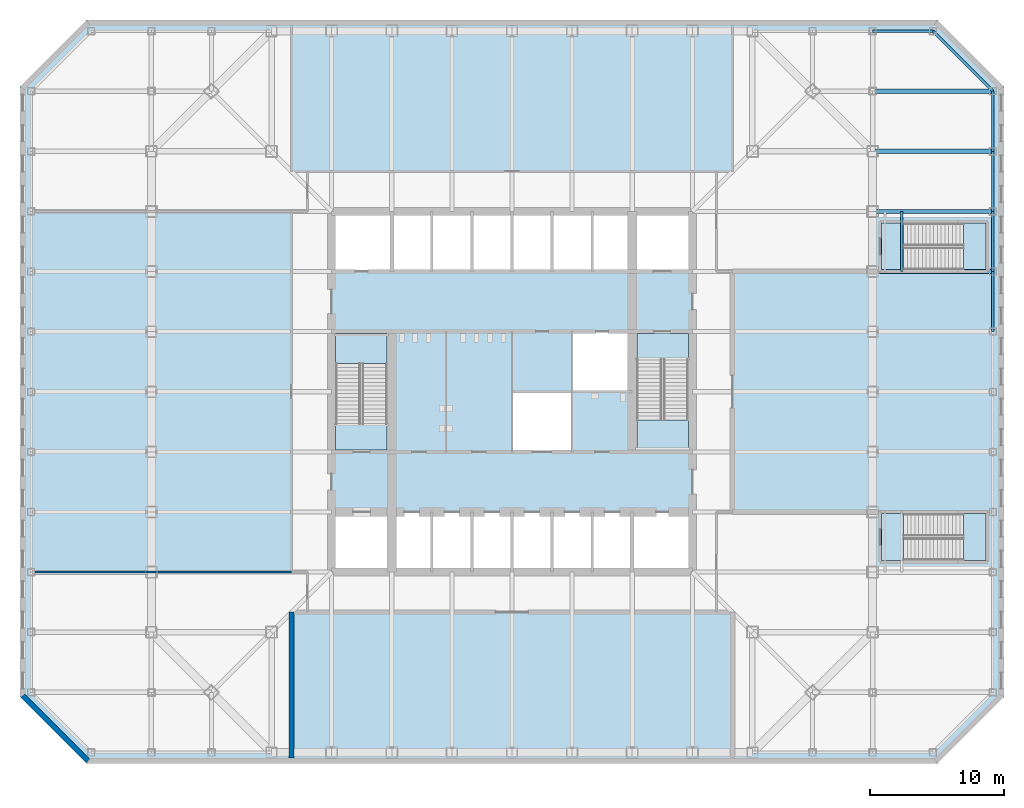
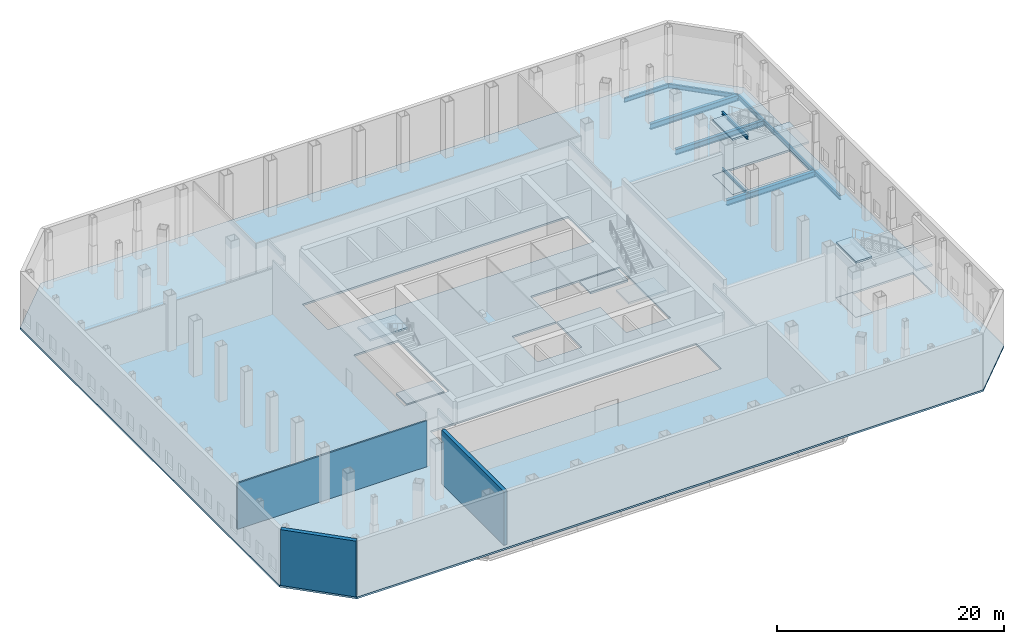
# One storey, part 5 of 13: 12 beams, 11 slabs, 3 walls, 4 elements without a shape of their own.
"""IFC4 building model written with IfcOpenShell, lengths in metres."""

from ifc_helpers import new_model, si_unit, direction, frame, frame_2d, origin, origin_2d, place, context, subcontext, project, spatial, polyline, rectangle, i_section, outline, extrude, material, layer, layer_set, material_profile, profile_set, type_object, element, aggregate, save


model = new_model("IFC4")

# Units and contexts
model_context = context("Model", 3, precision=1e-05, world=origin(), true_north=direction((0.0, 1.0)))
body_context = subcontext(model_context, "Body", "Model", "MODEL_VIEW")
ifc_project = project(units=[si_unit("LENGTHUNIT", "METRE"), si_unit("AREAUNIT", "SQUARE_METRE"), si_unit("VOLUMEUNIT", "CUBIC_METRE"), si_unit("PLANEANGLEUNIT", "RADIAN"), si_unit("MASSUNIT", "GRAM", prefix="KILO")], contexts=[model_context])

# Site, building, storey
site_placement = place(None, origin())
site = spatial("IfcSite", under=ifc_project, at=site_placement, CompositionType="ELEMENT")
building_placement = place(site_placement, origin())
building = spatial("IfcBuilding", under=site, at=building_placement, Name="Corais Broadcast Tower", CompositionType="ELEMENT")
storey_placement = place(building_placement, frame((0.0, 0.0, 12.0)))
storey = spatial("IfcBuildingStorey", under=building, at=storey_placement, Name="L02", CompositionType="ELEMENT", Elevation=12.0)

# Beams
ifc_material_1 = material(Name="Steel ASTM A572 Grade 50", Category="steel")
ifc_material_profile_1 = material_profile(ifc_material_1, i_section(OverallWidth=0.1650390625, OverallDepth=0.31005859375, WebThickness=0.005859375, FlangeThickness=0.009765625, at=origin_2d()), Name="W310x38.7")
ifc_profile_set_1 = profile_set([ifc_material_profile_1], Name="Steel ASTM A572 Grade 50")
beam_type_1 = type_object("IfcBeamType", Name="Landing trimmer W310x38.7", PredefinedType="BEAM", material=ifc_profile_set_1)
for number, where, z_axis, x_axis, name in (
    (1, (56.175048828125, 36.0, -0.35498046875), (0.0, 1.0, 0.0), (-1.0, 0.0, 0.0), "LT1 stair E landing trimmer L02"),
    (2, (56.175048828125, 36.0, 5.64501953125), (0.0, 1.0, 0.0), (-1.0, 0.0, 0.0), "LT1 stair E landing trimmer L02"),
):
    element("IfcBeam", number, at=place(storey_placement, frame(where, z_axis=z_axis, x_axis=x_axis)), inside=storey, type_object=beam_type_1, Name=name, PredefinedType="BEAM", context=body_context, shape_type="SweptSolid", body=[
        extrude(i_section(OverallWidth=0.1650390625, OverallDepth=0.31005859375, WebThickness=0.005859375, FlangeThickness=0.009765625, at=origin_2d()), origin(), (0.0, 0.0, 1.0), 4.5),
    ])
ifc_material_2 = material(Name="Steel ASTM A572 Grade 50", Category="steel")
ifc_material_profile_2 = material_profile(ifc_material_2, i_section(OverallWidth=0.18994140625, OverallDepth=0.45703125, WebThickness=0.009033203125, FlangeThickness=0.014404296875, at=origin_2d()), Name="W460x74")
ifc_profile_set_2 = profile_set([ifc_material_profile_2], Name="Steel ASTM A572 Grade 50")
beam_type_2 = type_object("IfcBeamType", Name="Wing edge beam W460x74", PredefinedType="BEAM", material=ifc_profile_set_2)
for number, where, z_axis, x_axis, name in (
    (3, (58.5, 54.0, -0.428466796875), (-1.0, 0.0, 0.0), (0.0, -1.0, 0.0), "B7 N/16 to N/15"),
    (4, (63.0, 31.5, -0.428466796875), (0.0, 1.0, 0.0), (-1.0, 0.0, 0.0), "B7 H/17 to J/17"),
    (5, (63.0, 36.0, -0.428466796875), (0.0, 1.0, 0.0), (-1.0, 0.0, 0.0), "B7 J/17 to K/17"),
    (6, (63.0, 40.5, -0.428466796875), (0.0, 1.0, 0.0), (-1.0, 0.0, 0.0), "B7 K/17 to L/17"),
    (7, (63.0, 45.0, -0.428466796875), (0.0, 1.0, 0.0), (-1.0, 0.0, 0.0), "B7 L/17 to M/17"),
):
    element("IfcBeam", number, at=place(storey_placement, frame(where, z_axis=z_axis, x_axis=x_axis)), inside=storey, type_object=beam_type_2, Name=name, PredefinedType="BEAM", context=body_context, shape_type="SweptSolid", body=[
        extrude(i_section(OverallWidth=0.18994140625, OverallDepth=0.45703125, WebThickness=0.009033203125, FlangeThickness=0.014404296875, at=origin_2d()), origin(), (0.0, 0.0, 1.0), 4.5),
    ])
beam_placement = place(storey_placement, frame((63.0, 49.5, -0.428466796875), z_axis=(-0.707106781187, 0.707106781187, 0.0), x_axis=(-0.707106781187, -0.707106781187, 0.0)))
element("IfcBeam", 8, at=beam_placement, inside=storey, type_object=beam_type_2, Name="B7 M/17 to N/16", PredefinedType="BEAM", context=body_context, shape_type="SweptSolid", body=[
    extrude(i_section(OverallWidth=0.18994140625, OverallDepth=0.45703125, WebThickness=0.009033203125, FlangeThickness=0.014404296875, at=origin_2d()), origin(), (0.0, 0.0, 1.0), 6.364013671875),
])
ifc_material_3 = material(Name="Steel ASTM A572 Grade 50", Category="steel")
ifc_material_profile_3 = material_profile(ifc_material_3, i_section(OverallWidth=0.323974609375, OverallDepth=0.611083984375, WebThickness=0.0126953125, FlangeThickness=0.01904296875, at=origin_2d()), Name="W610x155")
ifc_profile_set_3 = profile_set([ifc_material_profile_3], Name="Steel ASTM A572 Grade 50")
beam_type_3 = type_object("IfcBeamType", Name="Wing girder W610x155", PredefinedType="BEAM", material=ifc_profile_set_3)
for number, where, z_axis, x_axis, name in (
    (9, (54.0, 36.0, -0.505615234375), (1.0, 0.0, 0.0), (0.0, 1.0, 0.0), "B11 J/15 to J/17"),
    (10, (54.0, 40.5, -0.505615234375), (1.0, 0.0, 0.0), (0.0, 1.0, 0.0), "B11 K/15 to K/17"),
    (11, (54.0, 45.0, -0.505615234375), (1.0, 0.0, 0.0), (0.0, 1.0, 0.0), "B11 L/15 to L/17"),
    (12, (54.0, 49.5, -0.505615234375), (1.0, 0.0, 0.0), (0.0, 1.0, 0.0), "B11 M/15 to M/17"),
):
    element("IfcBeam", number, at=place(storey_placement, frame(where, z_axis=z_axis, x_axis=x_axis)), inside=storey, type_object=beam_type_3, Name=name, PredefinedType="BEAM", context=body_context, shape_type="SweptSolid", body=[
        extrude(i_section(OverallWidth=0.323974609375, OverallDepth=0.611083984375, WebThickness=0.0126953125, FlangeThickness=0.01904296875, at=origin_2d()), origin(), (0.0, 0.0, 1.0), 9.0),
    ])

# Slab
ifc_material_4 = material(Name="Concrete C30/37", Category="concrete")
ifc_layer_1 = layer(ifc_material_4, 0.199951171875)
ifc_layer_set_1 = layer_set([ifc_layer_1], Name="Concrete C30/37")
slab_type_1 = type_object("IfcSlabType", Name="Composite floor slab 200", PredefinedType="FLOOR", material=ifc_layer_set_1)
slab_1_placement = place(storey_placement, frame((0.0, 0.0, -0.199951171875)))
element("IfcSlab", 13, at=slab_1_placement, inside=storey, type_object=slab_type_1, Name="S200 floor slab L02", PredefinedType="FLOOR", context=body_context, shape_type="SweptSolid", body=[
    extrude(outline(polyline([(-4.84375, -0.830078125), (-9.830078125, 4.15625), (-9.830078125, 49.84375), (-4.84375, 54.830078125), (58.84375, 54.830078125), (63.830078125, 49.84375), (63.830078125, 4.15625), (58.84375, -0.830078125), (-4.84375, -0.830078125)]), holes=[polyline([(13.5, 18.0), (40.5, 18.0), (40.5, 13.5), (13.5, 13.5), (13.5, 18.0)]), polyline([(18.0, 22.5), (13.5, 22.5), (13.5, 31.5), (18.0, 31.5), (18.0, 22.5)]), polyline([(13.5, 40.5), (40.5, 40.5), (40.5, 36.0), (13.5, 36.0), (13.5, 40.5)]), polyline([(27.0, 22.5), (27.0, 27.0), (31.4951171875, 27.0), (31.4951171875, 27.0048828125), (31.5, 27.0048828125), (31.5, 31.5), (40.5, 31.5), (40.5, 22.5), (36.0, 22.5), (36.0, 27.0), (31.5048828125, 27.0), (31.5048828125, 26.9951171875), (31.5, 26.9951171875), (31.5, 22.5), (27.0, 22.5)]), polyline([(54.675048828125, 14.39990234375), (54.675048828125, 17.85009765625), (62.47509765625, 17.85009765625), (62.47509765625, 14.39990234375), (54.675048828125, 14.39990234375)]), polyline([(54.675048828125, 36.14990234375), (54.675048828125, 39.60009765625), (62.47509765625, 39.60009765625), (62.47509765625, 36.14990234375), (54.675048828125, 36.14990234375)])]), origin(), (0.0, 0.0, 1.0), 0.199951171875),
])

# Stair, slabs
ifc_material_5 = material(Name="Concrete C30/37", Category="concrete")
stair_type_1 = type_object("IfcStairType", Name="Half-turn stair 6000", PredefinedType="HALF_TURN_STAIR", material=ifc_material_5)
stair_1_placement = place(storey_placement, origin())
stair_1 = element("IfcStair", 14, at=stair_1_placement, inside=storey, type_object=stair_type_1, Name="Stair A L02", PredefinedType="HALF_TURN_STAIR")
ifc_material_6 = material(Name="Concrete C30/37", Category="concrete")
ifc_layer_2 = layer(ifc_material_6, 0.199951171875)
ifc_layer_set_2 = layer_set([ifc_layer_2], Name="Concrete C30/37")
slab_type_2 = type_object("IfcSlabType", Name="Stair landing 200", PredefinedType="LANDING", material=ifc_layer_set_2)
slab_2_placement = place(storey_placement, frame((0.0, 0.0, -0.199951171875)))
slab_2 = element("IfcSlab", 15, at=slab_2_placement, type_object=slab_type_2, Name="STA landing 1", PredefinedType="LANDING", context=body_context, shape_type="SweptSolid", body=[
    extrude(outline(polyline([(13.800048828125, 22.64990234375), (17.64990234375, 22.64990234375), (17.64990234375, 24.60009765625), (13.800048828125, 24.60009765625), (13.800048828125, 22.64990234375)])), origin(), (0.0, 0.0, 1.0), 0.199951171875),
])
slab_3_placement = place(storey_placement, frame((0.0, 0.0, 2.800048828125)))
slab_3 = element("IfcSlab", 16, at=slab_3_placement, type_object=slab_type_2, Name="STA landing 2", PredefinedType="LANDING", context=body_context, shape_type="SweptSolid", body=[
    extrude(outline(polyline([(13.800048828125, 29.112060546875), (17.64990234375, 29.112060546875), (17.64990234375, 31.35009765625), (13.800048828125, 31.35009765625), (13.800048828125, 29.112060546875)])), origin(), (0.0, 0.0, 1.0), 0.199951171875),
])
aggregate(stair_1, [slab_2, slab_3])

stair_2_placement = place(storey_placement, origin())
stair_2 = element("IfcStair", 17, at=stair_2_placement, inside=storey, type_object=stair_type_1, Name="Stair B L02", PredefinedType="HALF_TURN_STAIR")
slab_4_placement = place(storey_placement, frame((0.0, 0.0, -0.199951171875)))
slab_4 = element("IfcSlab", 18, at=slab_4_placement, type_object=slab_type_2, Name="STB landing 1", PredefinedType="LANDING", context=body_context, shape_type="SweptSolid", body=[
    extrude(outline(polyline([(36.35009765625, 29.39990234375), (40.199951171875, 29.39990234375), (40.199951171875, 31.35009765625), (36.35009765625, 31.35009765625), (36.35009765625, 29.39990234375)])), origin(), (0.0, 0.0, 1.0), 0.199951171875),
])
slab_5_placement = place(storey_placement, frame((0.0, 0.0, 2.800048828125)))
slab_5 = element("IfcSlab", 19, at=slab_5_placement, type_object=slab_type_2, Name="STB landing 2", PredefinedType="LANDING", context=body_context, shape_type="SweptSolid", body=[
    extrude(outline(polyline([(36.35009765625, 22.64990234375), (40.199951171875, 22.64990234375), (40.199951171875, 24.887939453125), (36.35009765625, 24.887939453125), (36.35009765625, 22.64990234375)])), origin(), (0.0, 0.0, 1.0), 0.199951171875),
])
aggregate(stair_2, [slab_4, slab_5])

ifc_material_7 = material(Name="Concrete C30/37", Category="concrete")
stair_type_2 = type_object("IfcStairType", Name="Podium half-turn stair 6000", PredefinedType="HALF_TURN_STAIR", material=ifc_material_7)
stair_3_placement = place(storey_placement, origin())
stair_3 = element("IfcStair", 20, at=stair_3_placement, inside=storey, type_object=stair_type_2, Name="Stair D L02", PredefinedType="HALF_TURN_STAIR")
slab_6_placement = place(storey_placement, frame((0.0, 0.0, -0.199951171875)))
slab_6 = element("IfcSlab", 21, at=slab_6_placement, type_object=slab_type_2, Name="STD landing 1", PredefinedType="LANDING", context=body_context, shape_type="SweptSolid", body=[
    extrude(outline(polyline([(54.675048828125, 14.375), (56.324951171875, 14.375), (56.324951171875, 17.875), (54.675048828125, 17.875), (54.675048828125, 14.375)])), origin(), (0.0, 0.0, 1.0), 0.199951171875),
])
slab_7_placement = place(storey_placement, frame((0.0, 0.0, 2.800048828125)))
slab_7 = element("IfcSlab", 22, at=slab_7_placement, type_object=slab_type_2, Name="STD landing 2", PredefinedType="LANDING", context=body_context, shape_type="SweptSolid", body=[
    extrude(outline(polyline([(60.804931640625, 14.375), (62.47509765625, 14.375), (62.47509765625, 17.875), (60.804931640625, 17.875), (60.804931640625, 14.375)])), origin(), (0.0, 0.0, 1.0), 0.199951171875),
])
slab_8_placement = place(storey_placement, frame((0.0, 0.0, 5.800048828125)))
slab_8 = element("IfcSlab", 23, at=slab_8_placement, type_object=slab_type_2, Name="STD landing 3", PredefinedType="LANDING", context=body_context, shape_type="SweptSolid", body=[
    extrude(outline(polyline([(54.675048828125, 14.375), (56.324951171875, 14.375), (56.324951171875, 17.875), (54.675048828125, 17.875), (54.675048828125, 14.375)])), origin(), (0.0, 0.0, 1.0), 0.199951171875),
])
aggregate(stair_3, [slab_6, slab_7, slab_8])

stair_4_placement = place(storey_placement, origin())
stair_4 = element("IfcStair", 24, at=stair_4_placement, inside=storey, type_object=stair_type_2, Name="Stair E L02", PredefinedType="HALF_TURN_STAIR")
slab_9_placement = place(storey_placement, frame((0.0, 0.0, -0.199951171875)))
slab_9 = element("IfcSlab", 25, at=slab_9_placement, type_object=slab_type_2, Name="STE landing 1", PredefinedType="LANDING", context=body_context, shape_type="SweptSolid", body=[
    extrude(outline(polyline([(54.675048828125, 36.125), (56.324951171875, 36.125), (56.324951171875, 39.625), (54.675048828125, 39.625), (54.675048828125, 36.125)])), origin(), (0.0, 0.0, 1.0), 0.199951171875),
])
slab_10_placement = place(storey_placement, frame((0.0, 0.0, 2.800048828125)))
slab_10 = element("IfcSlab", 26, at=slab_10_placement, type_object=slab_type_2, Name="STE landing 2", PredefinedType="LANDING", context=body_context, shape_type="SweptSolid", body=[
    extrude(outline(polyline([(60.804931640625, 36.125), (62.47509765625, 36.125), (62.47509765625, 39.625), (60.804931640625, 39.625), (60.804931640625, 36.125)])), origin(), (0.0, 0.0, 1.0), 0.199951171875),
])
slab_11_placement = place(storey_placement, frame((0.0, 0.0, 5.800048828125)))
slab_11 = element("IfcSlab", 27, at=slab_11_placement, type_object=slab_type_2, Name="STE landing 3", PredefinedType="LANDING", context=body_context, shape_type="SweptSolid", body=[
    extrude(outline(polyline([(54.675048828125, 36.125), (56.324951171875, 36.125), (56.324951171875, 39.625), (54.675048828125, 39.625), (54.675048828125, 36.125)])), origin(), (0.0, 0.0, 1.0), 0.199951171875),
])
aggregate(stair_4, [slab_9, slab_10, slab_11])

# Walls
ifc_material_8 = material(Name="Two leaves of dense concrete blockwork class A with a 50 mm cavity", Category="masonry")
ifc_layer_3 = layer(ifc_material_8, 0.35009765625)
ifc_layer_set_3 = layer_set([ifc_layer_3], Name="Two leaves of dense concrete blockwork class A with a 50 mm cavity")
wall_type_1 = type_object("IfcWallType", Name="Double-leaf acoustic partition 350", PredefinedType="PARTITIONING", material=ifc_layer_set_3)
wall_1_placement = place(storey_placement, frame((10.5, 10.5, 0.0), z_axis=(0.0, 0.0, 1.0), x_axis=(0.0, -1.0, 0.0)))
element("IfcWall", 28, at=wall_1_placement, inside=storey, type_object=wall_type_1, Name="IW4 partition L02", PredefinedType="PARTITIONING", context=body_context, shape_type="SweptSolid", body=[
    extrude(rectangle(XDim=10.929931640625, YDim=0.35009765625, at=frame_2d((5.46484375, 0.0))), origin(), (0.0, 0.0, 1.0), 5.800048828125),
])
ifc_material_9 = material(Name="Gypsum board on steel studs", Category="steel")
ifc_layer_4 = layer(ifc_material_9, 0.14990234375)
ifc_layer_set_4 = layer_set([ifc_layer_4], Name="Gypsum board on steel studs")
wall_type_2 = type_object("IfcWallType", Name="Partition 150", PredefinedType="PARTITIONING", material=ifc_layer_set_4)
wall_2_placement = place(storey_placement, frame((-8.739990234375, 13.5, 0.0), z_axis=(0.0, 0.0, 1.0), x_axis=(1.0, 0.0, 0.0)))
element("IfcWall", 29, at=wall_2_placement, inside=storey, type_object=wall_type_2, Name="IW3 partition L02", PredefinedType="PARTITIONING", context=body_context, shape_type="SweptSolid", body=[
    extrude(rectangle(XDim=19.239990234375, YDim=0.14990234375, at=frame_2d((9.6201171875, 0.0))), origin(), (0.0, 0.0, 1.0), 4.948974609375),
])
ifc_material_10 = material(Name="Precast concrete C40/50", Category="concrete")
ifc_layer_5 = layer(ifc_material_10, 0.39990234375)
ifc_layer_set_5 = layer_set([ifc_layer_5], Name="Precast concrete C40/50")
wall_type_3 = type_object("IfcWallType", Name="Stone-faced acoustic wall 400", PredefinedType="SOLIDWALL", material=ifc_layer_set_5)
wall_3_placement = place(storey_placement, frame((-4.760986328125, -0.6298828125, 0.0), z_axis=(0.0, 0.0, 1.0), x_axis=(-0.707106781187, 0.707106781187, 0.0)))
element("IfcWall", 30, at=wall_3_placement, inside=storey, type_object=wall_type_3, Name="EW2 external wall L02 1", PredefinedType="SOLIDWALL", context=body_context, shape_type="SweptSolid", body=[
    extrude(rectangle(XDim=6.8857421875, YDim=0.39990234375, at=frame_2d((3.44287109375, 0.0))), origin(), (0.0, 0.0, 1.0), 6.0),
])

save(model, "model.ifc")
